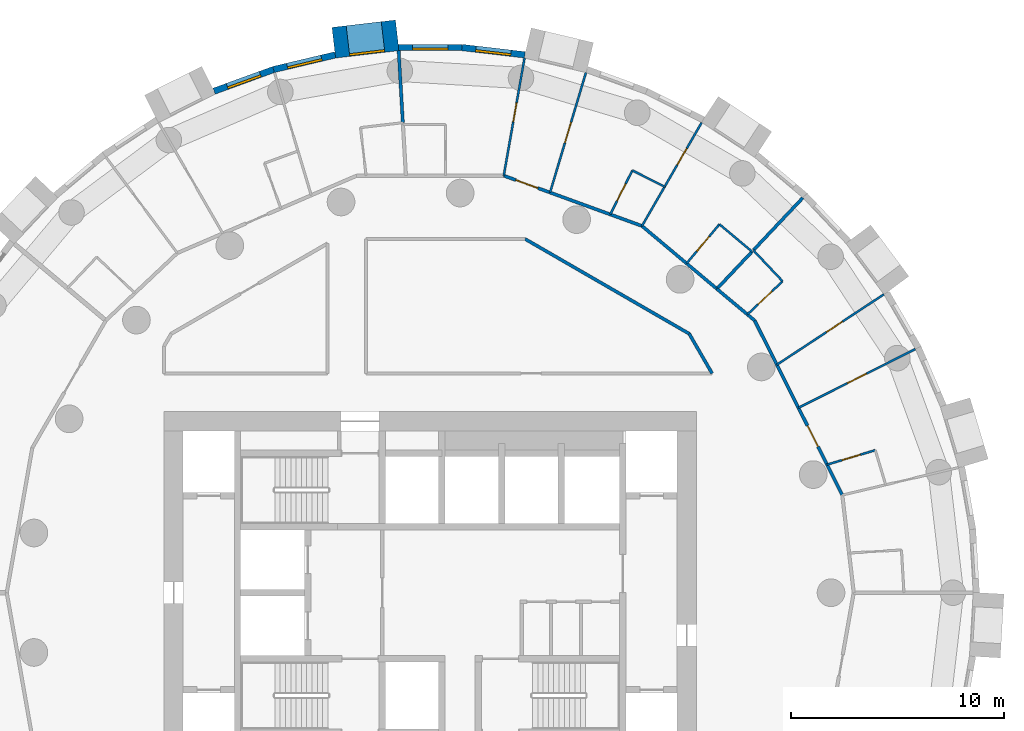
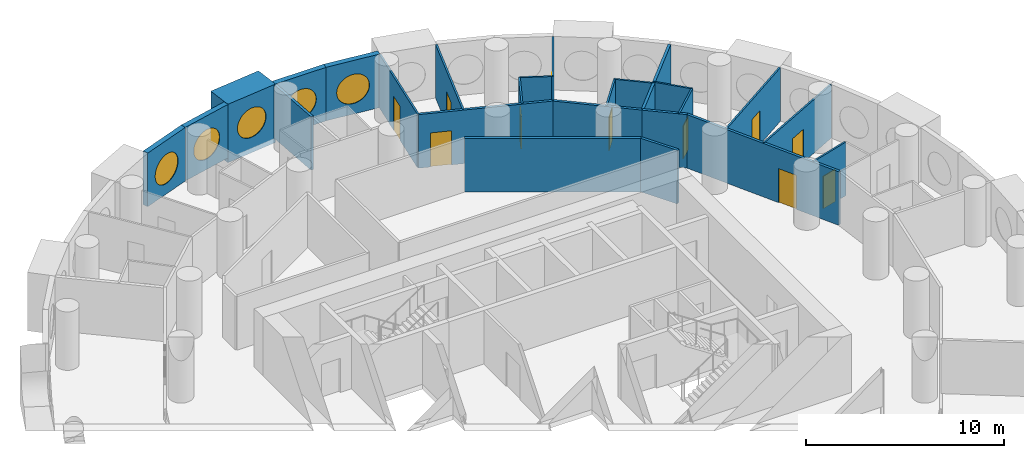
# One storey, part 7 of 10: 27 walls, 11 doors, 5 windows, 16 openings.
"""IFC4 building model written with IfcOpenShell, lengths in metres."""

from ifc_helpers import new_model, si_unit, direction, frame, frame_2d, origin, origin_2d, place, context, subcontext, project, spatial, rectangle, circle, extrude, material, layer, layer_set, type_object, element, fill, save


model = new_model("IFC4")

# Units and contexts
model_context = context("Model", 3, precision=1e-05, world=origin(), true_north=direction((0.0, 1.0)))
body_context = subcontext(model_context, "Body", "Model", "MODEL_VIEW")
ifc_project = project(units=[si_unit("LENGTHUNIT", "METRE"), si_unit("AREAUNIT", "SQUARE_METRE"), si_unit("VOLUMEUNIT", "CUBIC_METRE"), si_unit("PLANEANGLEUNIT", "RADIAN"), si_unit("MASSUNIT", "GRAM", prefix="KILO")], contexts=[model_context])

# Site, building, storey
site_placement = place(None, origin())
site = spatial("IfcSite", under=ifc_project, at=site_placement, CompositionType="ELEMENT")
building_placement = place(site_placement, origin())
building = spatial("IfcBuilding", under=site, at=building_placement, Name="Tracery Tower", CompositionType="ELEMENT")
storey_placement = place(building_placement, frame((0.0, 0.0, 133.199951171875)))
storey = spatial("IfcBuildingStorey", under=building, at=storey_placement, Name="L33", CompositionType="ELEMENT", Elevation=133.199951171875)

# Wall, opening, window
ifc_material_1 = material(Name="Precast concrete C50/60", Category="concrete")
ifc_layer_1 = layer(ifc_material_1, 1.449951171875)
ifc_layer_set_1 = layer_set([ifc_layer_1], Name="Deep-set bay unit 3000 x 3600, slab edge 300")
wall_type_1 = type_object("IfcWallType", Name="Deep-set bay unit 3000 x 3600, slab edge 300", PredefinedType="ELEMENTEDWALL", material=ifc_layer_set_1)
wall_1_placement = place(storey_placement, frame((-1.54931640625, 26.17626953125, -0.300048828125), z_axis=(0.0, 0.0, 1.0), x_axis=(-0.9932342274, -0.116128246006, 0.0)))
wall_1 = element("IfcWall", 1, at=wall_1_placement, inside=storey, type_object=wall_type_1, Name="Deep-set bay unit 15 at L33", PredefinedType="ELEMENTEDWALL", context=body_context, shape_type="SweptSolid", body=[
    extrude(rectangle(XDim=3.0, YDim=1.449951171875, at=frame_2d((1.5, 0.0))), origin(), (0.0, 0.0, 1.0), 3.60009765625),
])
opening_1_placement = place(wall_1_placement, frame((1.5, 0.0, 1.85009765625)))
opening_1 = element("IfcOpeningElement", 2, at=opening_1_placement, cuts=wall_1, Name="Opening WN1", PredefinedType="OPENING", context=body_context, shape_type="SweptSolid", body=[
    extrude(circle(Radius=0.9000244140625, at=origin_2d()), frame((0.0, 0.73486328125, 0.0), z_axis=(0.0, -1.0, 0.0), x_axis=(1.0, 0.0, 0.0)), (0.0, 0.0, 1.0), 1.469970703125),
])
ifc_material_2 = material(Name="Aluminium frame with tinted double glazing", Category="aluminium")
window_type = type_object("IfcWindowType", Name="Round window 1800", PartitioningType="SINGLE_PANEL", PredefinedType="WINDOW", material=ifc_material_2)
window_1_placement = place(opening_1_placement, origin())
window_1 = element("IfcWindow", 3, at=window_1_placement, inside=storey, type_object=window_type, Name="Round window 15 at L33", OverallHeight=1.800048828125, OverallWidth=1.800048828125, PartitioningType="SINGLE_PANEL", PredefinedType="WINDOW", context=body_context, shape_type="SweptSolid", body=[
    extrude(circle(Radius=0.9000244140625, at=origin_2d()), frame((0.0, 0.69482421875, 0.0), z_axis=(0.0, -1.0, 0.0), x_axis=(1.0, 0.0, 0.0)), (0.0, 0.0, 1.0), 0.10009765625),
])
fill(opening_1, window_1)

ifc_material_3 = material(Name="Precast concrete C50/60", Category="concrete")
ifc_layer_2 = layer(ifc_material_3, 0.300048828125)
ifc_layer_set_2 = layer_set([ifc_layer_2], Name="Facade panel 3000 x 3300")
wall_type_2 = type_object("IfcWallType", Name="Facade panel 3000 x 3300", PredefinedType="SOLIDWALL", material=ifc_layer_set_2)
wall_2_placement = place(storey_placement, frame((4.444091796875, 25.259033203125, 0.0), z_axis=(0.0, 0.0, 1.0), x_axis=(-0.993245010522, 0.1160359818, 0.0)))
wall_2 = element("IfcWall", 4, at=wall_2_placement, inside=storey, type_object=wall_type_2, Name="Facade panel 13 at L33", PredefinedType="SOLIDWALL", context=body_context, shape_type="SweptSolid", body=[
    extrude(rectangle(XDim=2.972900390625, YDim=0.300048828125, at=frame_2d((1.486328125, 0.0))), origin(), (0.0, 0.0, 1.0), 3.300048828125),
])
opening_2_placement = place(wall_2_placement, frame((1.486328125, 0.0, 1.5498046875)))
opening_2 = element("IfcOpeningElement", 5, at=opening_2_placement, cuts=wall_2, Name="Opening WN1", PredefinedType="OPENING", context=body_context, shape_type="SweptSolid", body=[
    extrude(circle(Radius=0.9000244140625, at=origin_2d()), frame((0.0, 0.159912109375, 0.0), z_axis=(0.0, -1.0, 0.0), x_axis=(1.0, 0.0, 0.0)), (0.0, 0.0, 1.0), 0.320068359375),
])
window_2_placement = place(opening_2_placement, origin())
window_2 = element("IfcWindow", 6, at=window_2_placement, inside=storey, type_object=window_type, Name="Round window 13 at L33", OverallHeight=1.800048828125, OverallWidth=1.800048828125, PartitioningType="SINGLE_PANEL", PredefinedType="WINDOW", context=body_context, shape_type="SweptSolid", body=[
    extrude(circle(Radius=0.9000244140625, at=origin_2d()), frame((0.0, 0.1201171875, 0.0), z_axis=(0.0, -1.0, 0.0), x_axis=(1.0, 0.0, 0.0)), (0.0, 0.0, 1.0), 0.10009765625),
])
fill(opening_2, window_2)

wall_3_placement = place(storey_placement, frame((1.4912109375, 25.60400390625, 0.0), z_axis=(0.0, 0.0, 1.0), x_axis=(-1.0, 0.0, 0.0)))
wall_3 = element("IfcWall", 7, at=wall_3_placement, inside=storey, type_object=wall_type_2, Name="Facade panel 14 at L33", PredefinedType="SOLIDWALL", context=body_context, shape_type="SweptSolid", body=[
    extrude(rectangle(XDim=2.972900390625, YDim=0.300048828125, at=frame_2d((1.486328125, 0.0))), origin(), (0.0, 0.0, 1.0), 3.300048828125),
])
opening_3_placement = place(wall_3_placement, frame((1.486328125, 0.0, 1.5498046875)))
opening_3 = element("IfcOpeningElement", 8, at=opening_3_placement, cuts=wall_3, Name="Opening WN1", PredefinedType="OPENING", context=body_context, shape_type="SweptSolid", body=[
    extrude(circle(Radius=0.9000244140625, at=origin_2d()), frame((0.0, 0.159912109375, 0.0), z_axis=(0.0, -1.0, 0.0), x_axis=(1.0, 0.0, 0.0)), (0.0, 0.0, 1.0), 0.320068359375),
])
window_3_placement = place(opening_3_placement, origin())
window_3 = element("IfcWindow", 9, at=window_3_placement, inside=storey, type_object=window_type, Name="Round window 14 at L33", OverallHeight=1.800048828125, OverallWidth=1.800048828125, PartitioningType="SINGLE_PANEL", PredefinedType="WINDOW", context=body_context, shape_type="SweptSolid", body=[
    extrude(circle(Radius=0.9000244140625, at=origin_2d()), frame((0.0, 0.1201171875, 0.0), z_axis=(0.0, -1.0, 0.0), x_axis=(1.0, 0.0, 0.0)), (0.0, 0.0, 1.0), 0.10009765625),
])
fill(opening_3, window_3)

wall_4_placement = place(storey_placement, frame((-4.463134765625, 25.255615234375, 0.0), z_axis=(0.0, 0.0, 1.0), x_axis=(-0.973045378923, -0.230613725862, 0.0)))
wall_4 = element("IfcWall", 10, at=wall_4_placement, inside=storey, type_object=wall_type_2, Name="Facade panel 16 at L33", PredefinedType="SOLIDWALL", context=body_context, shape_type="SweptSolid", body=[
    extrude(rectangle(XDim=2.97265625, YDim=0.300048828125, at=frame_2d((1.486328125, 0.0))), origin(), (0.0, 0.0, 1.0), 3.300048828125),
])
opening_4_placement = place(wall_4_placement, frame((1.486328125, 0.0, 1.5498046875)))
opening_4 = element("IfcOpeningElement", 11, at=opening_4_placement, cuts=wall_4, Name="Opening WN1", PredefinedType="OPENING", context=body_context, shape_type="SweptSolid", body=[
    extrude(circle(Radius=0.9000244140625, at=origin_2d()), frame((0.0, 0.159912109375, 0.0), z_axis=(0.0, -1.0, 0.0), x_axis=(1.0, 0.0, 0.0)), (0.0, 0.0, 1.0), 0.320068359375),
])
window_4_placement = place(opening_4_placement, origin())
window_4 = element("IfcWindow", 12, at=window_4_placement, inside=storey, type_object=window_type, Name="Round window 16 at L33", OverallHeight=1.800048828125, OverallWidth=1.800048828125, PartitioningType="SINGLE_PANEL", PredefinedType="WINDOW", context=body_context, shape_type="SweptSolid", body=[
    extrude(circle(Radius=0.9000244140625, at=origin_2d()), frame((0.0, 0.1201171875, 0.0), z_axis=(0.0, -1.0, 0.0), x_axis=(1.0, 0.0, 0.0)), (0.0, 0.0, 1.0), 0.10009765625),
])
fill(opening_4, window_4)

wall_5_placement = place(storey_placement, frame((-7.355712890625, 24.570068359375, 0.0), z_axis=(0.0, 0.0, 1.0), x_axis=(-0.939690282133, -0.342026568652, 0.0)))
wall_5 = element("IfcWall", 13, at=wall_5_placement, inside=storey, type_object=wall_type_2, Name="Facade panel 17 at L33", PredefinedType="SOLIDWALL", context=body_context, shape_type="SweptSolid", body=[
    extrude(rectangle(XDim=2.972900390625, YDim=0.300048828125, at=frame_2d((1.486328125, 0.0))), origin(), (0.0, 0.0, 1.0), 3.300048828125),
])
opening_5_placement = place(wall_5_placement, frame((1.486328125, 0.0, 1.5498046875)))
opening_5 = element("IfcOpeningElement", 14, at=opening_5_placement, cuts=wall_5, Name="Opening WN1", PredefinedType="OPENING", context=body_context, shape_type="SweptSolid", body=[
    extrude(circle(Radius=0.9000244140625, at=origin_2d()), frame((0.0, 0.159912109375, 0.0), z_axis=(0.0, -1.0, 0.0), x_axis=(1.0, 0.0, 0.0)), (0.0, 0.0, 1.0), 0.320068359375),
])
window_5_placement = place(opening_5_placement, origin())
window_5 = element("IfcWindow", 15, at=window_5_placement, inside=storey, type_object=window_type, Name="Round window 17 at L33", OverallHeight=1.800048828125, OverallWidth=1.800048828125, PartitioningType="SINGLE_PANEL", PredefinedType="WINDOW", context=body_context, shape_type="SweptSolid", body=[
    extrude(circle(Radius=0.9000244140625, at=origin_2d()), frame((0.0, 0.1201171875, 0.0), z_axis=(0.0, -1.0, 0.0), x_axis=(1.0, 0.0, 0.0)), (0.0, 0.0, 1.0), 0.10009765625),
])
fill(opening_5, window_5)

# Wall, opening, door
ifc_material_4 = material(Name="Plasterboard on steel studs", Category="steel")
ifc_layer_3 = layer(ifc_material_4, 0.10009765625)
ifc_layer_set_3 = layer_set([ifc_layer_3], Name="Partition 100 stud")
wall_type_3 = type_object("IfcWallType", Name="Partition 100 stud", PredefinedType="PARTITIONING", material=ifc_layer_set_3)
wall_6_placement = place(storey_placement, frame((17.29296875, 8.68505859375, 0.0), z_axis=(0.0, 0.0, 1.0), x_axis=(0.893639230217, 0.448786058403, 0.0)))
wall_6 = element("IfcWall", 16, at=wall_6_placement, inside=storey, type_object=wall_type_3, Name="Stud partition RB1-040", PredefinedType="PARTITIONING", context=body_context, shape_type="SweptSolid", body=[
    extrude(rectangle(XDim=6.1455078125, YDim=0.10009765625, at=frame_2d((3.07275390625, 0.0))), origin(), (0.0, 0.0, 1.0), 3.300048828125),
])
opening_6_placement = place(wall_6_placement, frame((2.572998046875, 0.0, 0.0)))
opening_6 = element("IfcOpeningElement", 17, at=opening_6_placement, cuts=wall_6, Name="Opening RB1-06", PredefinedType="OPENING", context=body_context, shape_type="SweptSolid", body=[
    extrude(rectangle(XDim=1.0, YDim=2.0400390625, at=frame_2d((0.5, 1.02001953125))), frame((0.0, 0.050048828125, 0.0), z_axis=(0.0, -1.0, 0.0), x_axis=(1.0, 0.0, 0.0)), (0.0, 0.0, 1.0), 0.10009765625),
])
ifc_material_5 = material(Name="Timber door leaf", Category="wood")
door_type_1 = type_object("IfcDoorType", Name="Door communal room 1000", OperationType="NOTDEFINED", PredefinedType="DOOR", material=ifc_material_5)
door_1_placement = place(opening_6_placement, origin())
door_1 = element("IfcDoor", 18, at=door_1_placement, inside=storey, type_object=door_type_1, Name="Communal room door RB1-06", OperationType="SINGLE_SWING_RIGHT", OverallHeight=2.0400390625, OverallWidth=1.0, PredefinedType="DOOR", context=body_context, shape_type="SweptSolid", body=[
    extrude(rectangle(XDim=1.0, YDim=2.0400390625, at=frame_2d((0.5, 1.02001953125))), frame((0.0, 0.02490234375, 0.0), z_axis=(0.0, -1.0, 0.0), x_axis=(1.0, 0.0, 0.0)), (0.0, 0.0, 1.0), 0.050048828125),
])
fill(opening_6, door_1)

wall_7_placement = place(storey_placement, frame((16.278076171875, 10.7060546875, 0.0), z_axis=(0.0, 0.0, 1.0), x_axis=(0.835487706207, 0.549509138029, 0.0)))
wall_7 = element("IfcWall", 19, at=wall_7_placement, inside=storey, type_object=wall_type_3, Name="Stud partition RB1-044", PredefinedType="PARTITIONING", context=body_context, shape_type="SweptSolid", body=[
    extrude(rectangle(XDim=6.014404296875, YDim=0.10009765625, at=frame_2d((3.00732421875, 0.0))), origin(), (0.0, 0.0, 1.0), 3.300048828125),
])
opening_7_placement = place(wall_7_placement, frame((2.79296875, 0.0, 0.0)))
opening_7 = element("IfcOpeningElement", 20, at=opening_7_placement, cuts=wall_7, Name="Opening RB1-10", PredefinedType="OPENING", context=body_context, shape_type="SweptSolid", body=[
    extrude(rectangle(XDim=0.89990234375, YDim=2.10009765625, at=frame_2d((0.449951171875, 1.050048828125))), frame((0.0, 0.050048828125, 0.0), z_axis=(0.0, -1.0, 0.0), x_axis=(1.0, 0.0, 0.0)), (0.0, 0.0, 1.0), 0.10009765625),
])
ifc_material_6 = material(Name="Timber door leaf", Category="wood")
door_type_2 = type_object("IfcDoorType", Name="Door bedroom 900", OperationType="NOTDEFINED", PredefinedType="DOOR", material=ifc_material_6)
door_2_placement = place(opening_7_placement, origin())
door_2 = element("IfcDoor", 21, at=door_2_placement, inside=storey, type_object=door_type_2, Name="Bedroom door RB1-10", OperationType="SINGLE_SWING_RIGHT", OverallHeight=2.10009765625, OverallWidth=0.89990234375, PredefinedType="DOOR", context=body_context, shape_type="SweptSolid", body=[
    extrude(rectangle(XDim=0.89990234375, YDim=2.10009765625, at=frame_2d((0.449951171875, 1.050048828125))), frame((0.0, 0.02490234375, 0.0), z_axis=(0.0, -1.0, 0.0), x_axis=(1.0, 0.0, 0.0)), (0.0, 0.0, 1.0), 0.050048828125),
])
fill(opening_7, door_2)

wall_8_placement = place(storey_placement, frame((5.626953125, 18.794921875, 0.0), z_axis=(0.0, 0.0, 1.0), x_axis=(0.286833432865, 0.957980470464, 0.0)))
wall_8 = element("IfcWall", 22, at=wall_8_placement, inside=storey, type_object=wall_type_3, Name="Stud partition RB1-053", PredefinedType="PARTITIONING", context=body_context, shape_type="SweptSolid", body=[
    extrude(rectangle(XDim=5.878173828125, YDim=0.10009765625, at=frame_2d((2.93896484375, 0.0))), origin(), (0.0, 0.0, 1.0), 3.300048828125),
])
opening_8_placement = place(wall_8_placement, frame((2.43896484375, 0.0, 0.0)))
opening_8 = element("IfcOpeningElement", 23, at=opening_8_placement, cuts=wall_8, Name="Opening RB1-13", PredefinedType="OPENING", context=body_context, shape_type="SweptSolid", body=[
    extrude(rectangle(XDim=1.0, YDim=2.0400390625, at=frame_2d((0.5, 1.02001953125))), frame((0.0, 0.050048828125, 0.0), z_axis=(0.0, -1.0, 0.0), x_axis=(1.0, 0.0, 0.0)), (0.0, 0.0, 1.0), 0.10009765625),
])
door_3_placement = place(opening_8_placement, origin())
door_3 = element("IfcDoor", 24, at=door_3_placement, inside=storey, type_object=door_type_1, Name="Communal room door RB1-13", OperationType="SINGLE_SWING_RIGHT", OverallHeight=2.0400390625, OverallWidth=1.0, PredefinedType="DOOR", context=body_context, shape_type="SweptSolid", body=[
    extrude(rectangle(XDim=1.0, YDim=2.0400390625, at=frame_2d((0.5, 1.02001953125))), frame((0.0, 0.02490234375, 0.0), z_axis=(0.0, -1.0, 0.0), x_axis=(1.0, 0.0, 0.0)), (0.0, 0.0, 1.0), 0.050048828125),
])
fill(opening_8, door_3)

wall_9_placement = place(storey_placement, frame((11.009033203125, 19.068115234375, 0.0), z_axis=(0.0, 0.0, 1.0), x_axis=(0.500101058546, 0.865967049743, 0.0)))
wall_9 = element("IfcWall", 25, at=wall_9_placement, inside=storey, type_object=wall_type_3, Name="Stud partition RB1-056", PredefinedType="PARTITIONING", context=body_context, shape_type="SweptSolid", body=[
    extrude(rectangle(XDim=3.479248046875, YDim=0.10009765625, at=frame_2d((1.73974609375, 0.0))), origin(), (0.0, 0.0, 1.0), 3.300048828125),
])
opening_9_placement = place(wall_9_placement, frame((1.180419921875, 0.0, 0.0)))
opening_9 = element("IfcOpeningElement", 26, at=opening_9_placement, cuts=wall_9, Name="Opening RB1-15", PredefinedType="OPENING", context=body_context, shape_type="SweptSolid", body=[
    extrude(rectangle(XDim=0.89990234375, YDim=2.10009765625, at=frame_2d((0.449951171875, 1.050048828125))), frame((0.0, 0.050048828125, 0.0), z_axis=(0.0, -1.0, 0.0), x_axis=(1.0, 0.0, 0.0)), (0.0, 0.0, 1.0), 0.10009765625),
])
door_4_placement = place(opening_9_placement, origin())
door_4 = element("IfcDoor", 27, at=door_4_placement, inside=storey, type_object=door_type_2, Name="Bedroom door RB1-15", OperationType="SINGLE_SWING_RIGHT", OverallHeight=2.10009765625, OverallWidth=0.89990234375, PredefinedType="DOOR", context=body_context, shape_type="SweptSolid", body=[
    extrude(rectangle(XDim=0.89990234375, YDim=2.10009765625, at=frame_2d((0.449951171875, 1.050048828125))), frame((0.0, 0.02490234375, 0.0), z_axis=(0.0, -1.0, 0.0), x_axis=(1.0, 0.0, 0.0)), (0.0, 0.0, 1.0), 0.050048828125),
])
fill(opening_9, door_4)

wall_10_placement = place(storey_placement, frame((3.452880859375, 19.5859375, 0.0), z_axis=(0.0, 0.0, 1.0), x_axis=(0.17382754149, 0.984776109489, 0.0)))
wall_10 = element("IfcWall", 28, at=wall_10_placement, inside=storey, type_object=wall_type_3, Name="Stud partition RB1-057", PredefinedType="PARTITIONING", context=body_context, shape_type="SweptSolid", body=[
    extrude(rectangle(XDim=5.609619140625, YDim=0.10009765625, at=frame_2d((2.8046875, 0.0))), origin(), (0.0, 0.0, 1.0), 3.300048828125),
])
opening_10_placement = place(wall_10_placement, frame((2.570068359375, 0.0, 0.0)))
opening_10 = element("IfcOpeningElement", 29, at=opening_10_placement, cuts=wall_10, Name="Opening RB1-17", PredefinedType="OPENING", context=body_context, shape_type="SweptSolid", body=[
    extrude(rectangle(XDim=0.89990234375, YDim=2.10009765625, at=frame_2d((0.449951171875, 1.050048828125))), frame((0.0, 0.050048828125, 0.0), z_axis=(0.0, -1.0, 0.0), x_axis=(1.0, 0.0, 0.0)), (0.0, 0.0, 1.0), 0.10009765625),
])
door_5_placement = place(opening_10_placement, origin())
door_5 = element("IfcDoor", 30, at=door_5_placement, inside=storey, type_object=door_type_2, Name="Bedroom door RB1-17", OperationType="SINGLE_SWING_RIGHT", OverallHeight=2.10009765625, OverallWidth=0.89990234375, PredefinedType="DOOR", context=body_context, shape_type="SweptSolid", body=[
    extrude(rectangle(XDim=0.89990234375, YDim=2.10009765625, at=frame_2d((0.449951171875, 1.050048828125))), frame((0.0, 0.02490234375, 0.0), z_axis=(0.0, -1.0, 0.0), x_axis=(1.0, 0.0, 0.0)), (0.0, 0.0, 1.0), 0.050048828125),
])
fill(opening_10, door_5)

ifc_material_7 = material(Name="Plasterboard on steel studs", Category="steel")
ifc_layer_4 = layer(ifc_material_7, 0.10009765625)
ifc_layer_set_4 = layer_set([ifc_layer_4], Name="Partition 100 wet wall")
wall_type_4 = type_object("IfcWallType", Name="Partition 100 wet wall", PredefinedType="PARTITIONING", material=ifc_layer_set_4)
wall_11_placement = place(storey_placement, frame((18.634033203125, 6.014892578125, 0.0), z_axis=(0.0, 0.0, 1.0), x_axis=(0.957968074201, 0.286874831262, 0.0)))
wall_11 = element("IfcWall", 31, at=wall_11_placement, inside=storey, type_object=wall_type_4, Name="Wet wall RB1-042", PredefinedType="PARTITIONING", context=body_context, shape_type="SweptSolid", body=[
    extrude(rectangle(XDim=2.36767578125, YDim=0.10009765625, at=frame_2d((1.183837890625, 0.0))), origin(), (0.0, 0.0, 1.0), 3.300048828125),
])
opening_11_placement = place(wall_11_placement, frame((0.7333984375, 0.0, 0.0)))
opening_11 = element("IfcOpeningElement", 32, at=opening_11_placement, cuts=wall_11, Name="Opening RB1-07", PredefinedType="OPENING", context=body_context, shape_type="SweptSolid", body=[
    extrude(rectangle(XDim=0.89990234375, YDim=2.0, at=frame_2d((0.449951171875, 1.0))), frame((0.0, 0.050048828125, 0.0), z_axis=(0.0, -1.0, 0.0), x_axis=(1.0, 0.0, 0.0)), (0.0, 0.0, 1.0), 0.10009765625),
])
ifc_material_8 = material(Name="Timber door leaf", Category="wood")
door_type_3 = type_object("IfcDoorType", Name="Door shower room 900", OperationType="NOTDEFINED", PredefinedType="DOOR", material=ifc_material_8)
door_6_placement = place(opening_11_placement, origin())
door_6 = element("IfcDoor", 33, at=door_6_placement, inside=storey, type_object=door_type_3, Name="Shower room door RB1-07", OperationType="SINGLE_SWING_RIGHT", OverallHeight=2.0, OverallWidth=0.89990234375, PredefinedType="DOOR", context=body_context, shape_type="SweptSolid", body=[
    extrude(rectangle(XDim=0.89990234375, YDim=2.0, at=frame_2d((0.449951171875, 1.0))), frame((0.0, 0.02490234375, 0.0), z_axis=(0.0, -1.0, 0.0), x_axis=(1.0, 0.0, 0.0)), (0.0, 0.0, 1.0), 0.050048828125),
])
fill(opening_11, door_6)

wall_12_placement = place(storey_placement, frame((14.89599609375, 13.068115234375, 0.0), z_axis=(0.0, 0.0, 1.0), x_axis=(0.727754926423, 0.68583727448, 0.0)))
wall_12 = element("IfcWall", 34, at=wall_12_placement, inside=storey, type_object=wall_type_4, Name="Wet wall RB1-049", PredefinedType="PARTITIONING", context=body_context, shape_type="SweptSolid", body=[
    extrude(rectangle(XDim=2.271484375, YDim=0.10009765625, at=frame_2d((1.1357421875, 0.0))), origin(), (0.0, 0.0, 1.0), 3.300048828125),
])
opening_12_placement = place(wall_12_placement, frame((0.68603515625, 0.0, 0.0)))
opening_12 = element("IfcOpeningElement", 35, at=opening_12_placement, cuts=wall_12, Name="Opening RB1-11", PredefinedType="OPENING", context=body_context, shape_type="SweptSolid", body=[
    extrude(rectangle(XDim=0.89990234375, YDim=2.0400390625, at=frame_2d((0.449951171875, 1.02001953125))), frame((0.0, 0.050048828125, 0.0), z_axis=(0.0, -1.0, 0.0), x_axis=(1.0, 0.0, 0.0)), (0.0, 0.0, 1.0), 0.10009765625),
])
ifc_material_9 = material(Name="Timber door leaf", Category="wood")
door_type_4 = type_object("IfcDoorType", Name="Door en-suite 900", OperationType="NOTDEFINED", PredefinedType="DOOR", material=ifc_material_9)
door_7_placement = place(opening_12_placement, origin())
door_7 = element("IfcDoor", 36, at=door_7_placement, inside=storey, type_object=door_type_4, Name="En-suite door RB1-11", OperationType="SINGLE_SWING_RIGHT", OverallHeight=2.0400390625, OverallWidth=0.89990234375, PredefinedType="DOOR", context=body_context, shape_type="SweptSolid", body=[
    extrude(rectangle(XDim=0.89990234375, YDim=2.0400390625, at=frame_2d((0.449951171875, 1.02001953125))), frame((0.0, 0.02490234375, 0.0), z_axis=(0.0, -1.0, 0.0), x_axis=(1.0, 0.0, 0.0)), (0.0, 0.0, 1.0), 0.050048828125),
])
fill(opening_12, door_7)

# Walls
wall_13_placement = place(storey_placement, frame((15.174072265625, 16.0830078125, 0.0), z_axis=(0.0, 0.0, 1.0), x_axis=(0.686337209023, -0.727283462971, 0.0)))
element("IfcWall", 37, at=wall_13_placement, inside=storey, type_object=wall_type_4, Name="Wet wall RB1-050", PredefinedType="PARTITIONING", context=body_context, shape_type="SweptSolid", body=[
    extrude(rectangle(XDim=2.00341796875, YDim=0.10009765625, at=frame_2d((1.001708984375, 0.0))), origin(), (0.0, 0.0, 1.0), 3.300048828125),
])
wall_14_placement = place(storey_placement, frame((9.491943359375, 19.830078125, 0.0), z_axis=(0.0, 0.0, 1.0), x_axis=(0.893620418257, -0.44882351551, 0.0)))
element("IfcWall", 38, at=wall_14_placement, inside=storey, type_object=wall_type_4, Name="Wet wall RB1-054", PredefinedType="PARTITIONING", context=body_context, shape_type="SweptSolid", body=[
    extrude(rectangle(XDim=1.69775390625, YDim=0.10009765625, at=frame_2d((0.848876953125, 0.0))), origin(), (0.0, 0.0, 1.0), 3.300048828125),
])

# Wall, opening, door
wall_15_placement = place(storey_placement, frame((8.455078125, 17.764892578125, 0.0), z_axis=(0.0, 0.0, 1.0), x_axis=(0.448692072555, 0.893686423768, 0.0)))
wall_15 = element("IfcWall", 39, at=wall_15_placement, inside=storey, type_object=wall_type_4, Name="Wet wall RB1-055", PredefinedType="PARTITIONING", context=body_context, shape_type="SweptSolid", body=[
    extrude(rectangle(XDim=2.310791015625, YDim=0.10009765625, at=frame_2d((1.1552734375, 0.0))), origin(), (0.0, 0.0, 1.0), 3.300048828125),
])
opening_13_placement = place(wall_15_placement, frame((0.705810546875, 0.0, 0.0)))
opening_13 = element("IfcOpeningElement", 40, at=opening_13_placement, cuts=wall_15, Name="Opening RB1-14", PredefinedType="OPENING", context=body_context, shape_type="SweptSolid", body=[
    extrude(rectangle(XDim=0.89990234375, YDim=2.0, at=frame_2d((0.449951171875, 1.0))), frame((0.0, 0.050048828125, 0.0), z_axis=(0.0, -1.0, 0.0), x_axis=(1.0, 0.0, 0.0)), (0.0, 0.0, 1.0), 0.10009765625),
])
door_8_placement = place(opening_13_placement, origin())
door_8 = element("IfcDoor", 41, at=door_8_placement, inside=storey, type_object=door_type_3, Name="Shower room door RB1-14", OperationType="SINGLE_SWING_LEFT", OverallHeight=2.0, OverallWidth=0.89990234375, PredefinedType="DOOR", context=body_context, shape_type="SweptSolid", body=[
    extrude(rectangle(XDim=0.89990234375, YDim=2.0, at=frame_2d((0.449951171875, 1.0))), frame((0.0, 0.02490234375, 0.0), z_axis=(0.0, -1.0, 0.0), x_axis=(1.0, 0.0, 0.0)), (0.0, 0.0, 1.0), 0.050048828125),
])
fill(opening_13, door_8)

# Walls
wall_16_placement = place(storey_placement, frame((9.944091796875, 17.222900390625, 0.0), z_axis=(0.0, 0.0, 1.0), x_axis=(0.499861334108, 0.866105447774, 0.0)))
element("IfcWall", 42, at=wall_16_placement, inside=storey, type_object=wall_type_4, Name="Wet wall RB1-058", PredefinedType="PARTITIONING", context=body_context, shape_type="SweptSolid", body=[
    extrude(rectangle(XDim=2.13037109375, YDim=0.10009765625, at=frame_2d((1.065185546875, 0.0))), origin(), (0.0, 0.0, 1.0), 3.300048828125),
])
wall_17_placement = place(storey_placement, frame((13.58203125, 17.302978515625, 0.0), z_axis=(0.0, 0.0, 1.0), x_axis=(0.766224532916, -0.642572925945, 0.0)))
element("IfcWall", 43, at=wall_17_placement, inside=storey, type_object=wall_type_4, Name="Wet wall RB1-059", PredefinedType="PARTITIONING", context=body_context, shape_type="SweptSolid", body=[
    extrude(rectangle(XDim=1.998046875, YDim=0.10009765625, at=frame_2d((0.9990234375, 0.0))), origin(), (0.0, 0.0, 1.0), 3.300048828125),
])

# Wall, opening, door
wall_18_placement = place(storey_placement, frame((12.0400390625, 15.465087890625, 0.0), z_axis=(0.0, 0.0, 1.0), x_axis=(0.642743296644, 0.766081623993, 0.0)))
wall_18 = element("IfcWall", 44, at=wall_18_placement, inside=storey, type_object=wall_type_4, Name="Wet wall RB1-060", PredefinedType="PARTITIONING", context=body_context, shape_type="SweptSolid", body=[
    extrude(rectangle(XDim=2.399169921875, YDim=0.10009765625, at=frame_2d((1.19970703125, 0.0))), origin(), (0.0, 0.0, 1.0), 3.300048828125),
])
opening_14_placement = place(wall_18_placement, frame((0.749267578125, 0.0, 0.0)))
opening_14 = element("IfcOpeningElement", 45, at=opening_14_placement, cuts=wall_18, Name="Opening RB1-16", PredefinedType="OPENING", context=body_context, shape_type="SweptSolid", body=[
    extrude(rectangle(XDim=0.89990234375, YDim=2.0400390625, at=frame_2d((0.449951171875, 1.02001953125))), frame((0.0, 0.050048828125, 0.0), z_axis=(0.0, -1.0, 0.0), x_axis=(1.0, 0.0, 0.0)), (0.0, 0.0, 1.0), 0.10009765625),
])
door_9_placement = place(opening_14_placement, origin())
door_9 = element("IfcDoor", 46, at=door_9_placement, inside=storey, type_object=door_type_4, Name="En-suite door RB1-16", OperationType="SINGLE_SWING_RIGHT", OverallHeight=2.0400390625, OverallWidth=0.89990234375, PredefinedType="DOOR", context=body_context, shape_type="SweptSolid", body=[
    extrude(rectangle(XDim=0.89990234375, YDim=2.0400390625, at=frame_2d((0.449951171875, 1.02001953125))), frame((0.0, 0.02490234375, 0.0), z_axis=(0.0, -1.0, 0.0), x_axis=(1.0, 0.0, 0.0)), (0.0, 0.0, 1.0), 0.050048828125),
])
fill(opening_14, door_9)

# Walls
ifc_material_10 = material(Name="Plasterboard on steel studs", Category="steel")
ifc_layer_5 = layer(ifc_material_10, 0.14990234375)
ifc_layer_set_5 = layer_set([ifc_layer_5], Name="Partition 150 acoustic unit wall")
wall_type_5 = type_object("IfcWallType", Name="Partition 150 acoustic unit wall", PredefinedType="PARTITIONING", material=ifc_layer_set_5)
wall_19_placement = place(storey_placement, frame((15.174072265625, 16.0830078125, 0.0), z_axis=(0.0, 0.0, 1.0), x_axis=(0.686144834043, 0.727464959099, 0.0)))
element("IfcWall", 47, at=wall_19_placement, inside=storey, type_object=wall_type_5, Name="Unit wall RB1-051", PredefinedType="PARTITIONING", context=body_context, shape_type="SweptSolid", body=[
    extrude(rectangle(XDim=3.385498046875, YDim=0.14990234375, at=frame_2d((1.69287109375, 0.0))), origin(), (0.0, 0.0, 1.0), 3.300048828125),
])
wall_20_placement = place(storey_placement, frame((13.462890625, 14.27001953125, 0.0), z_axis=(0.0, 0.0, 1.0), x_axis=(0.686486574862, 0.727142477465, 0.0)))
element("IfcWall", 48, at=wall_20_placement, inside=storey, type_object=wall_type_5, Name="Unit wall RB1-052", PredefinedType="PARTITIONING", context=body_context, shape_type="SweptSolid", body=[
    extrude(rectangle(XDim=2.407958984375, YDim=0.14990234375, at=frame_2d((1.2041015625, 0.0))), origin(), (0.0, 0.0, 1.0), 3.300048828125),
])
wall_21_placement = place(storey_placement, frame((-1.48291015625, 25.4541015625, 0.0), z_axis=(0.0, 0.0, 1.0), x_axis=(0.058122482782, -0.998309459534, 0.0)))
element("IfcWall", 49, at=wall_21_placement, inside=storey, type_object=wall_type_5, Name="Unit wall RB1-063", PredefinedType="PARTITIONING", context=body_context, shape_type="SweptSolid", body=[
    extrude(rectangle(XDim=3.3896484375, YDim=0.14990234375, at=frame_2d((1.69482421875, 0.0))), origin(), (0.0, 0.0, 1.0), 3.300048828125),
])
ifc_material_11 = material(Name="Plasterboard on steel studs", Category="steel")
ifc_layer_6 = layer(ifc_material_11, 0.14990234375)
ifc_layer_set_6 = layer_set([ifc_layer_6], Name="Partition 150 corridor wall")
wall_type_6 = type_object("IfcWallType", Name="Partition 150 corridor wall", PredefinedType="PARTITIONING", material=ifc_layer_set_6)
wall_22_placement = place(storey_placement, frame((12.162109375, 12.162109375, 0.0), z_axis=(0.0, 0.0, 1.0), x_axis=(0.499961633463, -0.866047553582, 0.0)))
element("IfcWall", 50, at=wall_22_placement, inside=storey, type_object=wall_type_6, Name="Corridor wall RB1-005", PredefinedType="PARTITIONING", context=body_context, shape_type="SweptSolid", body=[
    extrude(rectangle(XDim=2.150146484375, YDim=0.14990234375, at=frame_2d((1.0751953125, 0.0))), origin(), (0.0, 0.0, 1.0), 3.300048828125),
])

# Wall, opening, door
wall_23_placement = place(storey_placement, frame((15.234619140625, 12.78369140625, 0.0), z_axis=(0.0, 0.0, 1.0), x_axis=(0.448809691484, -0.893627361281, 0.0)))
wall_23 = element("IfcWall", 51, at=wall_23_placement, inside=storey, type_object=wall_type_6, Name="Corridor wall RB1-007", PredefinedType="PARTITIONING", context=body_context, shape_type="SweptSolid", body=[
    extrude(rectangle(XDim=9.173583984375, YDim=0.14990234375, at=frame_2d((4.5869140625, 0.0))), origin(), (0.0, 0.0, 1.0), 3.300048828125),
])
opening_15_placement = place(wall_23_placement, frame((5.5302734375, 0.0, 0.0)))
opening_15 = element("IfcOpeningElement", 52, at=opening_15_placement, cuts=wall_23, Name="Opening RB1-05", PredefinedType="OPENING", context=body_context, shape_type="SweptSolid", body=[
    extrude(rectangle(XDim=1.10009765625, YDim=2.10009765625, at=frame_2d((0.550048828125, 1.050048828125))), frame((0.0, 0.074951171875, 0.0), z_axis=(0.0, -1.0, 0.0), x_axis=(1.0, 0.0, 0.0)), (0.0, 0.0, 1.0), 0.14990234375),
])
ifc_material_12 = material(Name="Timber door leaf", Category="wood")
door_type_5 = type_object("IfcDoorType", Name="Door cluster entrance 1100", OperationType="NOTDEFINED", PredefinedType="DOOR", material=ifc_material_12)
door_10_placement = place(opening_15_placement, origin())
door_10 = element("IfcDoor", 53, at=door_10_placement, inside=storey, type_object=door_type_5, Name="Cluster entrance door RB1-05", OperationType="SINGLE_SWING_LEFT", OverallHeight=2.10009765625, OverallWidth=1.10009765625, PredefinedType="DOOR", context=body_context, shape_type="SweptSolid", body=[
    extrude(rectangle(XDim=1.10009765625, YDim=2.10009765625, at=frame_2d((0.550048828125, 1.050048828125))), frame((0.0, 0.02490234375, 0.0), z_axis=(0.0, -1.0, 0.0), x_axis=(1.0, 0.0, 0.0)), (0.0, 0.0, 1.0), 0.050048828125),
])
fill(opening_15, door_10)

# Walls
wall_24_placement = place(storey_placement, frame((13.458251953125, 14.27001953125, 0.0), z_axis=(0.0, 0.0, 1.0), x_axis=(0.767079699321, -0.641551817775, 0.0)))
element("IfcWall", 54, at=wall_24_placement, inside=storey, type_object=wall_type_6, Name="Corridor wall RB1-009", PredefinedType="PARTITIONING", context=body_context, shape_type="SweptSolid", body=[
    extrude(rectangle(XDim=2.31640625, YDim=0.14990234375, at=frame_2d((1.158203125, 0.0))), origin(), (0.0, 0.0, 1.0), 3.300048828125),
])
wall_25_placement = place(storey_placement, frame((4.451904296875, 16.614013671875, 0.0), z_axis=(0.0, 0.0, 1.0), x_axis=(0.866005203721, -0.500034985904, 0.0)))
element("IfcWall", 55, at=wall_25_placement, inside=storey, type_object=wall_type_6, Name="Corridor wall RB1-015", PredefinedType="PARTITIONING", context=body_context, shape_type="SweptSolid", body=[
    extrude(rectangle(XDim=8.903076171875, YDim=0.14990234375, at=frame_2d((4.45166015625, 0.0))), origin(), (0.0, 0.0, 1.0), 3.300048828125),
])

# Wall, opening, door
wall_26_placement = place(storey_placement, frame((3.452880859375, 19.585693359375, 0.0), z_axis=(0.0, 0.0, 1.0), x_axis=(0.939706711967, -0.341981425643, 0.0)))
wall_26 = element("IfcWall", 56, at=wall_26_placement, inside=storey, type_object=wall_type_6, Name="Corridor wall RB1-018", PredefinedType="PARTITIONING", context=body_context, shape_type="SweptSolid", body=[
    extrude(rectangle(XDim=6.90771484375, YDim=0.14990234375, at=frame_2d((3.453857421875, 0.0))), origin(), (0.0, 0.0, 1.0), 3.300048828125),
])
opening_16_placement = place(wall_26_placement, frame((0.60791015625, 0.0, 0.0)))
opening_16 = element("IfcOpeningElement", 57, at=opening_16_placement, cuts=wall_26, Name="Opening RB1-12", PredefinedType="OPENING", context=body_context, shape_type="SweptSolid", body=[
    extrude(rectangle(XDim=1.10009765625, YDim=2.10009765625, at=frame_2d((0.550048828125, 1.050048828125))), frame((0.0, 0.074951171875, 0.0), z_axis=(0.0, -1.0, 0.0), x_axis=(1.0, 0.0, 0.0)), (0.0, 0.0, 1.0), 0.14990234375),
])
door_11_placement = place(opening_16_placement, origin())
door_11 = element("IfcDoor", 58, at=door_11_placement, inside=storey, type_object=door_type_5, Name="Cluster entrance door RB1-12", OperationType="SINGLE_SWING_LEFT", OverallHeight=2.10009765625, OverallWidth=1.10009765625, PredefinedType="DOOR", context=body_context, shape_type="SweptSolid", body=[
    extrude(rectangle(XDim=1.10009765625, YDim=2.10009765625, at=frame_2d((0.550048828125, 1.050048828125))), frame((0.0, 0.02490234375, 0.0), z_axis=(0.0, -1.0, 0.0), x_axis=(1.0, 0.0, 0.0)), (0.0, 0.0, 1.0), 0.050048828125),
])
fill(opening_16, door_11)

# Wall
wall_27_placement = place(storey_placement, frame((9.944091796875, 17.222900390625, 0.0), z_axis=(0.0, 0.0, 1.0), x_axis=(0.765940168638, -0.642911858708, 0.0)))
element("IfcWall", 59, at=wall_27_placement, inside=storey, type_object=wall_type_6, Name="Corridor wall RB1-019", PredefinedType="PARTITIONING", context=body_context, shape_type="SweptSolid", body=[
    extrude(rectangle(XDim=4.597900390625, YDim=0.14990234375, at=frame_2d((2.298828125, 0.0))), origin(), (0.0, 0.0, 1.0), 3.300048828125),
])

save(model, "model.ifc")
